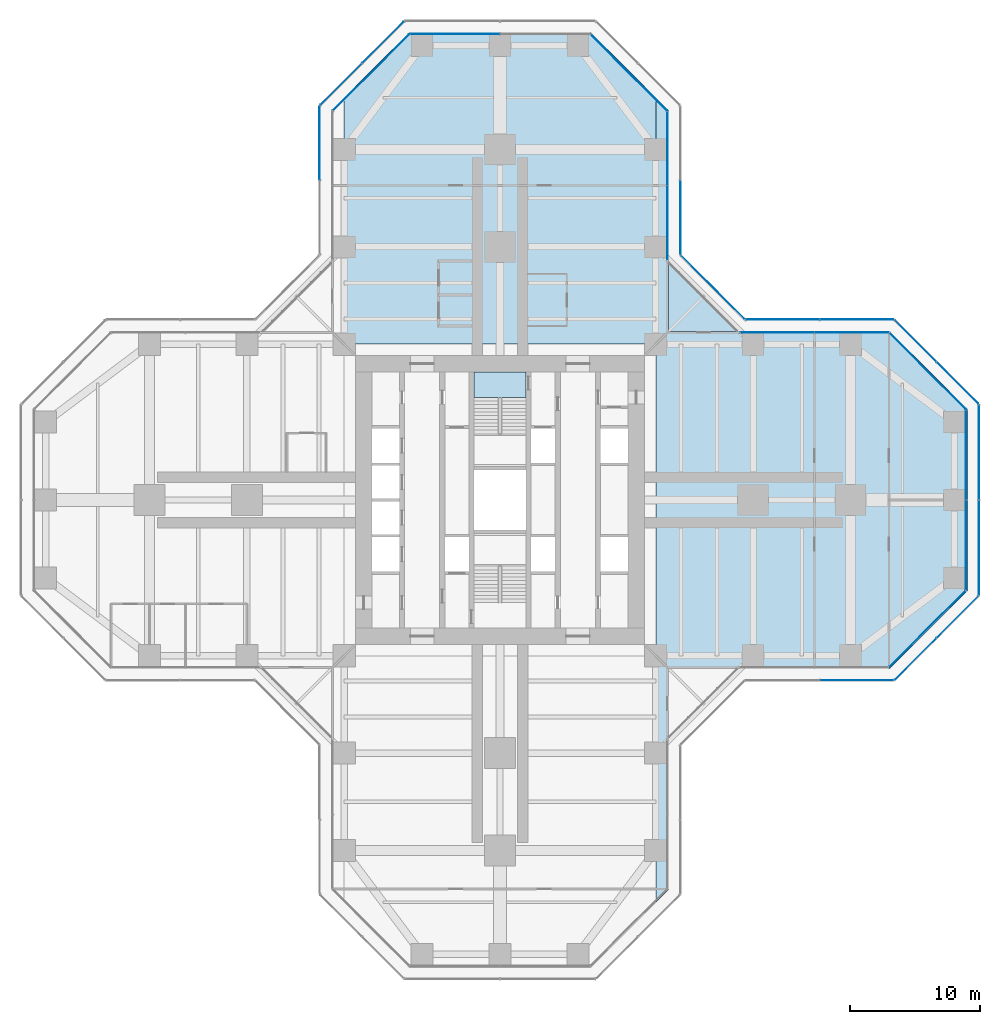
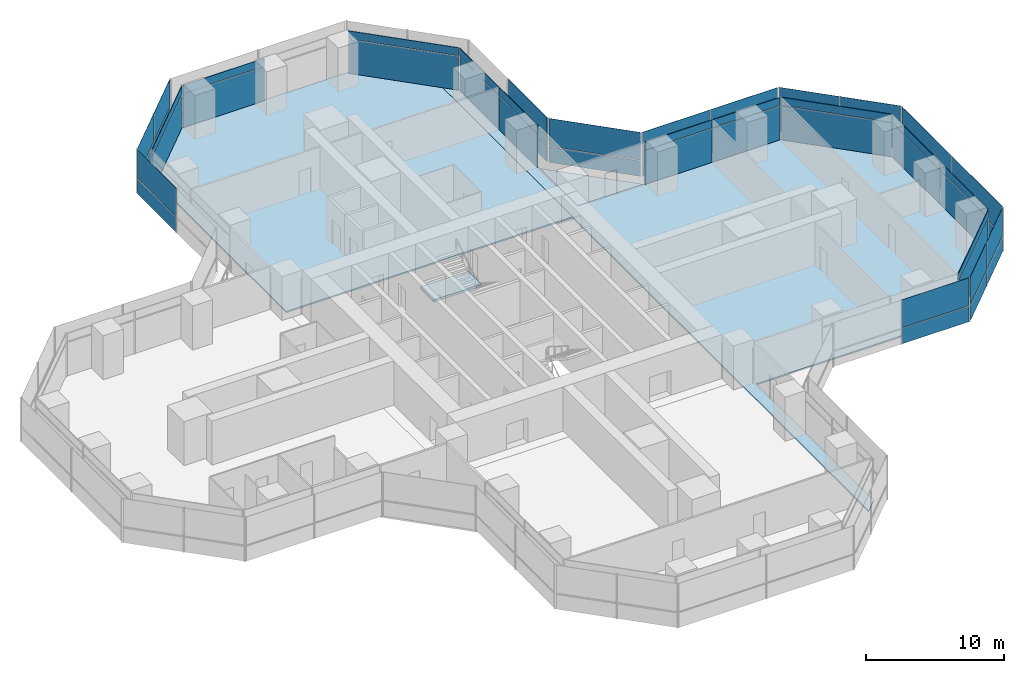
# One storey, part 16 of 22: 50 plates, 4 slabs, 18 elements without a shape of their own.
"""IFC4 building model written with IfcOpenShell, lengths in metres."""

from ifc_helpers import new_model, si_unit, direction, frame, origin, origin_2d, place, context, subcontext, project, spatial, polyline, rectangle, outline, extrude, material, layer, layer_set, type_object, element, aggregate, save


model = new_model("IFC4")

# Units and contexts
model_context = context("Model", 3, precision=1e-05, world=origin(), true_north=direction((0.0, 1.0)))
body_context = subcontext(model_context, "Body", "Model", "MODEL_VIEW")
ifc_project = project(units=[si_unit("LENGTHUNIT", "METRE"), si_unit("AREAUNIT", "SQUARE_METRE"), si_unit("VOLUMEUNIT", "CUBIC_METRE"), si_unit("PLANEANGLEUNIT", "RADIAN"), si_unit("MASSUNIT", "GRAM", prefix="KILO")], contexts=[model_context])

# Site, building, storey
site_placement = place(None, origin())
site = spatial("IfcSite", under=ifc_project, at=site_placement, CompositionType="ELEMENT")
building_placement = place(site_placement, origin())
building = spatial("IfcBuilding", under=site, at=building_placement, Name="Mizan Broadcast Tower", CompositionType="ELEMENT")
storey_placement = place(building_placement, frame((0.0, 0.0, 74.699951171875)))
storey = spatial("IfcBuildingStorey", under=building, at=storey_placement, Name="L15", CompositionType="ELEMENT", Elevation=74.699951171875)

# Slabs
ifc_material_1 = material(Name="Concrete C32/40", Category="concrete")
ifc_layer_1 = layer(ifc_material_1, 0.1298828125)
ifc_layer_set_1 = layer_set([ifc_layer_1], Name="Concrete C32/40")
slab_type_1 = type_object("IfcSlabType", Name="COMPOSITE DECK SLAB 130", PredefinedType="FLOOR", material=ifc_layer_set_1)
slab_1_placement = place(storey_placement, frame((0.0, 0.0, -0.1298828125)))
element("IfcSlab", 1, at=slab_1_placement, inside=storey, type_object=slab_type_1, Name="Floor slab L15 east arm", PredefinedType="FLOOR", context=body_context, shape_type="SweptSolid", body=[
    extrude(outline(polyline([(12.0, -31.0), (13.0, -30.0), (13.0, -13.0), (30.0, -13.0), (36.0, -7.0), (36.0, 7.0), (30.0, 13.0), (13.0, 13.0), (13.0, 30.0), (12.0, 31.0), (12.0, -31.0)])), origin(), (0.0, 0.0, 1.0), 0.1298828125),
])
slab_2_placement = place(storey_placement, frame((0.0, 0.0, -0.1298828125)))
element("IfcSlab", 2, at=slab_2_placement, inside=storey, type_object=slab_type_1, Name="Floor slab L15 north arm", PredefinedType="FLOOR", context=body_context, shape_type="SweptSolid", body=[
    extrude(outline(polyline([(-7.0, 36.0), (-12.0, 31.0), (-12.0, 12.0), (12.0, 12.0), (12.0, 31.0), (7.0, 36.0), (-7.0, 36.0)])), origin(), (0.0, 0.0, 1.0), 0.1298828125),
])

# Curtain wall, plate
ifc_material_2 = material(Name="Aluminium framed glazing", Category="aluminium")
curtain_wall_type_1 = type_object("IfcCurtainWallType", Name="INNER SKIN LOW ZONE", PredefinedType="USERDEFINED", material=ifc_material_2)
curtain_wall_1_placement = place(storey_placement, origin())
curtain_wall_1 = element("IfcCurtainWall", 3, at=curtain_wall_1_placement, inside=storey, type_object=curtain_wall_type_1, Name="Inner skin low zone L15 E chamfer", ObjectType="INNER SKIN LOW ZONE", PredefinedType="USERDEFINED")
ifc_material_3 = material(Name="Double glazing, clear low-e", Category="glass")
ifc_layer_2 = layer(ifc_material_3, 0.028076171875)
ifc_layer_set_2 = layer_set([ifc_layer_2], Name="Double glazing, clear low-e")
plate_type_1 = type_object("IfcPlateType", Name="INNER SKIN GLAZING UNIT", PredefinedType="CURTAIN_PANEL", material=ifc_layer_set_2)
plate_1_placement = place(storey_placement, frame((32.92919921875, -9.92919921875, 0.0), z_axis=(0.0, 0.0, 1.0), x_axis=(0.707106781187, 0.707106781187, 0.0)))
plate_1 = element("IfcPlate", 4, at=plate_1_placement, type_object=plate_type_1, Name="Inner skin low zone L15 E chamfer panel 1.1", PredefinedType="CURTAIN_PANEL", context=body_context, shape_type="SweptSolid", body=[
    extrude(rectangle(XDim=8.282470703125, YDim=0.028076171875, at=origin_2d()), origin(), (0.0, 0.0, 1.0), 3.0),
])

# Curtain wall, plates
curtain_wall_2_placement = place(storey_placement, origin())
curtain_wall_2 = element("IfcCurtainWall", 5, at=curtain_wall_2_placement, inside=storey, type_object=curtain_wall_type_1, Name="Inner skin low zone L15 E end", ObjectType="INNER SKIN LOW ZONE", PredefinedType="USERDEFINED")
plate_2_placement = place(storey_placement, frame((35.89990234375, -3.46435546875, 0.0), z_axis=(0.0, 0.0, 1.0), x_axis=(0.0, 1.0, 0.0)))
plate_2 = element("IfcPlate", 6, at=plate_2_placement, type_object=plate_type_1, Name="Inner skin low zone L15 E end panel 1.1", PredefinedType="CURTAIN_PANEL", context=body_context, shape_type="SweptSolid", body=[
    extrude(rectangle(XDim=6.86865234375, YDim=0.028076171875, at=origin_2d()), origin(), (0.0, 0.0, 1.0), 3.0),
])
plate_3_placement = place(storey_placement, frame((35.89990234375, 3.46435546875, 0.0), z_axis=(0.0, 0.0, 1.0), x_axis=(0.0, 1.0, 0.0)))
plate_3 = element("IfcPlate", 7, at=plate_3_placement, type_object=plate_type_1, Name="Inner skin low zone L15 E end panel 2.1", PredefinedType="CURTAIN_PANEL", context=body_context, shape_type="SweptSolid", body=[
    extrude(rectangle(XDim=6.86865234375, YDim=0.028076171875, at=origin_2d()), origin(), (0.0, 0.0, 1.0), 3.0),
])

# Curtain wall, plate
curtain_wall_3_placement = place(storey_placement, origin())
curtain_wall_3 = element("IfcCurtainWall", 8, at=curtain_wall_3_placement, inside=storey, type_object=curtain_wall_type_1, Name="Inner skin low zone L15 E chamfer", ObjectType="INNER SKIN LOW ZONE", PredefinedType="USERDEFINED")
plate_4_placement = place(storey_placement, frame((32.92919921875, 9.92919921875, 0.0), z_axis=(0.0, 0.0, 1.0), x_axis=(-0.707106781187, 0.707106781187, 0.0)))
plate_4 = element("IfcPlate", 9, at=plate_4_placement, type_object=plate_type_1, Name="Inner skin low zone L15 E chamfer panel 1.1", PredefinedType="CURTAIN_PANEL", context=body_context, shape_type="SweptSolid", body=[
    extrude(rectangle(XDim=8.282470703125, YDim=0.028076171875, at=origin_2d()), origin(), (0.0, 0.0, 1.0), 3.0),
])

# Curtain wall, plates
curtain_wall_4_placement = place(storey_placement, origin())
curtain_wall_4 = element("IfcCurtainWall", 10, at=curtain_wall_4_placement, inside=storey, type_object=curtain_wall_type_1, Name="Inner skin low zone L15 E side", ObjectType="INNER SKIN LOW ZONE", PredefinedType="USERDEFINED")
plate_5_placement = place(storey_placement, frame((27.078857421875, 12.89990234375, 0.0), z_axis=(0.0, 0.0, 1.0), x_axis=(-1.0, 0.0, 0.0)))
plate_5 = element("IfcPlate", 11, at=plate_5_placement, type_object=plate_type_1, Name="Inner skin low zone L15 E side panel 1.1", PredefinedType="CURTAIN_PANEL", context=body_context, shape_type="SweptSolid", body=[
    extrude(rectangle(XDim=5.639404296875, YDim=0.028076171875, at=origin_2d()), origin(), (0.0, 0.0, 1.0), 3.0),
])
plate_6_placement = place(storey_placement, frame((21.379638671875, 12.89990234375, 0.0), z_axis=(0.0, 0.0, 1.0), x_axis=(-1.0, 0.0, 0.0)))
plate_6 = element("IfcPlate", 12, at=plate_6_placement, type_object=plate_type_1, Name="Inner skin low zone L15 E side panel 2.1", PredefinedType="CURTAIN_PANEL", context=body_context, shape_type="SweptSolid", body=[
    extrude(rectangle(XDim=5.639404296875, YDim=0.028076171875, at=origin_2d()), origin(), (0.0, 0.0, 1.0), 3.0),
])

curtain_wall_5_placement = place(storey_placement, origin())
curtain_wall_5 = element("IfcCurtainWall", 13, at=curtain_wall_5_placement, inside=storey, type_object=curtain_wall_type_1, Name="Inner skin low zone L15 N side", ObjectType="INNER SKIN LOW ZONE", PredefinedType="USERDEFINED")
plate_7_placement = place(storey_placement, frame((12.89990234375, 21.379638671875, 0.0), z_axis=(0.0, 0.0, 1.0), x_axis=(0.0, 1.0, 0.0)))
plate_7 = element("IfcPlate", 14, at=plate_7_placement, type_object=plate_type_1, Name="Inner skin low zone L15 N side panel 1.1", PredefinedType="CURTAIN_PANEL", context=body_context, shape_type="SweptSolid", body=[
    extrude(rectangle(XDim=5.639404296875, YDim=0.028076171875, at=origin_2d()), origin(), (0.0, 0.0, 1.0), 3.0),
])
plate_8_placement = place(storey_placement, frame((12.89990234375, 27.078857421875, 0.0), z_axis=(0.0, 0.0, 1.0), x_axis=(0.0, 1.0, 0.0)))
plate_8 = element("IfcPlate", 15, at=plate_8_placement, type_object=plate_type_1, Name="Inner skin low zone L15 N side panel 2.1", PredefinedType="CURTAIN_PANEL", context=body_context, shape_type="SweptSolid", body=[
    extrude(rectangle(XDim=5.639404296875, YDim=0.028076171875, at=origin_2d()), origin(), (0.0, 0.0, 1.0), 3.0),
])

# Curtain wall, plate
curtain_wall_6_placement = place(storey_placement, origin())
curtain_wall_6 = element("IfcCurtainWall", 16, at=curtain_wall_6_placement, inside=storey, type_object=curtain_wall_type_1, Name="Inner skin low zone L15 N chamfer", ObjectType="INNER SKIN LOW ZONE", PredefinedType="USERDEFINED")
plate_9_placement = place(storey_placement, frame((9.92919921875, 32.92919921875, 0.0), z_axis=(0.0, 0.0, 1.0), x_axis=(-0.707106781187, 0.707106781187, 0.0)))
plate_9 = element("IfcPlate", 17, at=plate_9_placement, type_object=plate_type_1, Name="Inner skin low zone L15 N chamfer panel 1.1", PredefinedType="CURTAIN_PANEL", context=body_context, shape_type="SweptSolid", body=[
    extrude(rectangle(XDim=8.282470703125, YDim=0.028076171875, at=origin_2d()), origin(), (0.0, 0.0, 1.0), 3.0),
])

curtain_wall_7_placement = place(storey_placement, origin())
curtain_wall_7 = element("IfcCurtainWall", 18, at=curtain_wall_7_placement, inside=storey, type_object=curtain_wall_type_1, Name="Inner skin low zone L15 N end", ObjectType="INNER SKIN LOW ZONE", PredefinedType="USERDEFINED")
plate_10_placement = place(storey_placement, frame((-3.46435546875, 35.89990234375, 0.0), z_axis=(0.0, 0.0, 1.0), x_axis=(-1.0, 0.0, 0.0)))
plate_10 = element("IfcPlate", 19, at=plate_10_placement, type_object=plate_type_1, Name="Inner skin low zone L15 N end panel 2.1", PredefinedType="CURTAIN_PANEL", context=body_context, shape_type="SweptSolid", body=[
    extrude(rectangle(XDim=6.86865234375, YDim=0.028076171875, at=origin_2d()), origin(), (0.0, 0.0, 1.0), 3.0),
])

curtain_wall_8_placement = place(storey_placement, origin())
curtain_wall_8 = element("IfcCurtainWall", 20, at=curtain_wall_8_placement, inside=storey, type_object=curtain_wall_type_1, Name="Inner skin low zone L15 N chamfer", ObjectType="INNER SKIN LOW ZONE", PredefinedType="USERDEFINED")
plate_11_placement = place(storey_placement, frame((-9.92919921875, 32.92919921875, 0.0), z_axis=(0.0, 0.0, 1.0), x_axis=(-0.707106781187, -0.707106781187, 0.0)))
plate_11 = element("IfcPlate", 21, at=plate_11_placement, type_object=plate_type_1, Name="Inner skin low zone L15 N chamfer panel 1.1", PredefinedType="CURTAIN_PANEL", context=body_context, shape_type="SweptSolid", body=[
    extrude(rectangle(XDim=8.282470703125, YDim=0.028076171875, at=origin_2d()), origin(), (0.0, 0.0, 1.0), 3.0),
])

# Plate
ifc_material_4 = material(Name="Insulated aluminium spandrel panel, pale anodised", Category="aluminium")
ifc_layer_3 = layer(ifc_material_4, 0.050048828125)
ifc_layer_set_3 = layer_set([ifc_layer_3], Name="Insulated aluminium spandrel panel, pale anodised")
plate_type_2 = type_object("IfcPlateType", Name="INNER SKIN SPANDREL PANEL", PredefinedType="CURTAIN_PANEL", material=ifc_layer_set_3)
plate_12_placement = place(storey_placement, frame((32.92919921875, -9.92919921875, 3.06005859375), z_axis=(0.0, 0.0, 1.0), x_axis=(0.707106781187, 0.707106781187, 0.0)))
plate_12 = element("IfcPlate", 22, at=plate_12_placement, type_object=plate_type_2, Name="Inner skin low zone L15 E chamfer panel 1.2", PredefinedType="CURTAIN_PANEL", context=body_context, shape_type="SweptSolid", body=[
    extrude(rectangle(XDim=8.282470703125, YDim=0.050048828125, at=origin_2d()), origin(), (0.0, 0.0, 1.0), 0.7099609375),
])

aggregate(curtain_wall_1, [plate_1, plate_12])

plate_13_placement = place(storey_placement, frame((35.89990234375, -3.46435546875, 3.06005859375), z_axis=(0.0, 0.0, 1.0), x_axis=(0.0, 1.0, 0.0)))
plate_13 = element("IfcPlate", 23, at=plate_13_placement, type_object=plate_type_2, Name="Inner skin low zone L15 E end panel 1.2", PredefinedType="CURTAIN_PANEL", context=body_context, shape_type="SweptSolid", body=[
    extrude(rectangle(XDim=6.86865234375, YDim=0.050048828125, at=origin_2d()), origin(), (0.0, 0.0, 1.0), 0.7099609375),
])

plate_14_placement = place(storey_placement, frame((35.89990234375, 3.46435546875, 3.06005859375), z_axis=(0.0, 0.0, 1.0), x_axis=(0.0, 1.0, 0.0)))
plate_14 = element("IfcPlate", 24, at=plate_14_placement, type_object=plate_type_2, Name="Inner skin low zone L15 E end panel 2.2", PredefinedType="CURTAIN_PANEL", context=body_context, shape_type="SweptSolid", body=[
    extrude(rectangle(XDim=6.86865234375, YDim=0.050048828125, at=origin_2d()), origin(), (0.0, 0.0, 1.0), 0.7099609375),
])

aggregate(curtain_wall_2, [plate_2, plate_13, plate_3, plate_14])

plate_15_placement = place(storey_placement, frame((32.92919921875, 9.92919921875, 3.06005859375), z_axis=(0.0, 0.0, 1.0), x_axis=(-0.707106781187, 0.707106781187, 0.0)))
plate_15 = element("IfcPlate", 25, at=plate_15_placement, type_object=plate_type_2, Name="Inner skin low zone L15 E chamfer panel 1.2", PredefinedType="CURTAIN_PANEL", context=body_context, shape_type="SweptSolid", body=[
    extrude(rectangle(XDim=8.282470703125, YDim=0.050048828125, at=origin_2d()), origin(), (0.0, 0.0, 1.0), 0.7099609375),
])

aggregate(curtain_wall_3, [plate_4, plate_15])

plate_16_placement = place(storey_placement, frame((27.078857421875, 12.89990234375, 3.06005859375), z_axis=(0.0, 0.0, 1.0), x_axis=(-1.0, 0.0, 0.0)))
plate_16 = element("IfcPlate", 26, at=plate_16_placement, type_object=plate_type_2, Name="Inner skin low zone L15 E side panel 1.2", PredefinedType="CURTAIN_PANEL", context=body_context, shape_type="SweptSolid", body=[
    extrude(rectangle(XDim=5.639404296875, YDim=0.050048828125, at=origin_2d()), origin(), (0.0, 0.0, 1.0), 0.7099609375),
])

plate_17_placement = place(storey_placement, frame((21.379638671875, 12.89990234375, 3.06005859375), z_axis=(0.0, 0.0, 1.0), x_axis=(-1.0, 0.0, 0.0)))
plate_17 = element("IfcPlate", 27, at=plate_17_placement, type_object=plate_type_2, Name="Inner skin low zone L15 E side panel 2.2", PredefinedType="CURTAIN_PANEL", context=body_context, shape_type="SweptSolid", body=[
    extrude(rectangle(XDim=5.639404296875, YDim=0.050048828125, at=origin_2d()), origin(), (0.0, 0.0, 1.0), 0.7099609375),
])

aggregate(curtain_wall_4, [plate_5, plate_16, plate_6, plate_17])

plate_18_placement = place(storey_placement, frame((12.89990234375, 21.379638671875, 3.06005859375), z_axis=(0.0, 0.0, 1.0), x_axis=(0.0, 1.0, 0.0)))
plate_18 = element("IfcPlate", 28, at=plate_18_placement, type_object=plate_type_2, Name="Inner skin low zone L15 N side panel 1.2", PredefinedType="CURTAIN_PANEL", context=body_context, shape_type="SweptSolid", body=[
    extrude(rectangle(XDim=5.639404296875, YDim=0.050048828125, at=origin_2d()), origin(), (0.0, 0.0, 1.0), 0.7099609375),
])

plate_19_placement = place(storey_placement, frame((12.89990234375, 27.078857421875, 3.06005859375), z_axis=(0.0, 0.0, 1.0), x_axis=(0.0, 1.0, 0.0)))
plate_19 = element("IfcPlate", 29, at=plate_19_placement, type_object=plate_type_2, Name="Inner skin low zone L15 N side panel 2.2", PredefinedType="CURTAIN_PANEL", context=body_context, shape_type="SweptSolid", body=[
    extrude(rectangle(XDim=5.639404296875, YDim=0.050048828125, at=origin_2d()), origin(), (0.0, 0.0, 1.0), 0.7099609375),
])

aggregate(curtain_wall_5, [plate_7, plate_18, plate_8, plate_19])

plate_20_placement = place(storey_placement, frame((9.92919921875, 32.92919921875, 3.06005859375), z_axis=(0.0, 0.0, 1.0), x_axis=(-0.707106781187, 0.707106781187, 0.0)))
plate_20 = element("IfcPlate", 30, at=plate_20_placement, type_object=plate_type_2, Name="Inner skin low zone L15 N chamfer panel 1.2", PredefinedType="CURTAIN_PANEL", context=body_context, shape_type="SweptSolid", body=[
    extrude(rectangle(XDim=8.282470703125, YDim=0.050048828125, at=origin_2d()), origin(), (0.0, 0.0, 1.0), 0.7099609375),
])

aggregate(curtain_wall_6, [plate_9, plate_20])

plate_21_placement = place(storey_placement, frame((-3.46435546875, 35.89990234375, 3.06005859375), z_axis=(0.0, 0.0, 1.0), x_axis=(-1.0, 0.0, 0.0)))
plate_21 = element("IfcPlate", 31, at=plate_21_placement, type_object=plate_type_2, Name="Inner skin low zone L15 N end panel 2.2", PredefinedType="CURTAIN_PANEL", context=body_context, shape_type="SweptSolid", body=[
    extrude(rectangle(XDim=6.86865234375, YDim=0.050048828125, at=origin_2d()), origin(), (0.0, 0.0, 1.0), 0.7099609375),
])

aggregate(curtain_wall_7, [plate_10, plate_21])

plate_22_placement = place(storey_placement, frame((-9.92919921875, 32.92919921875, 3.06005859375), z_axis=(0.0, 0.0, 1.0), x_axis=(-0.707106781187, -0.707106781187, 0.0)))
plate_22 = element("IfcPlate", 32, at=plate_22_placement, type_object=plate_type_2, Name="Inner skin low zone L15 N chamfer panel 1.2", PredefinedType="CURTAIN_PANEL", context=body_context, shape_type="SweptSolid", body=[
    extrude(rectangle(XDim=8.282470703125, YDim=0.050048828125, at=origin_2d()), origin(), (0.0, 0.0, 1.0), 0.7099609375),
])

aggregate(curtain_wall_8, [plate_11, plate_22])

# Curtain wall, plates
ifc_material_5 = material(Name="Aluminium framed glazing", Category="aluminium")
curtain_wall_type_2 = type_object("IfcCurtainWallType", Name="OUTER SKIN", PredefinedType="USERDEFINED", material=ifc_material_5)
curtain_wall_9_placement = place(storey_placement, origin())
curtain_wall_9 = element("IfcCurtainWall", 33, at=curtain_wall_9_placement, inside=storey, type_object=curtain_wall_type_2, Name="Outer skin L15 E chamfer", ObjectType="OUTER SKIN", PredefinedType="USERDEFINED")
ifc_material_6 = material(Name="Laminated clear glass", Category="glass")
ifc_layer_4 = layer(ifc_material_6, 0.02001953125)
ifc_layer_set_4 = layer_set([ifc_layer_4], Name="Laminated clear glass")
plate_type_3 = type_object("IfcPlateType", Name="OUTER SKIN CLEAR GLASS", PredefinedType="CURTAIN_PANEL", material=ifc_layer_set_4)
plate_23_placement = place(storey_placement, frame((32.018798828125, -12.254150390625, 0.0), z_axis=(0.0, 0.0, 1.0), x_axis=(0.707106781187, 0.707106781187, 0.0)))
plate_23 = element("IfcPlate", 34, at=plate_23_placement, type_object=plate_type_3, Name="Outer skin L15 E chamfer panel 1.1", PredefinedType="CURTAIN_PANEL", context=body_context, shape_type="SweptSolid", body=[
    extrude(rectangle(XDim=4.495361328125, YDim=0.02001953125, at=origin_2d()), origin(), (0.0, 0.0, 1.0), 1.3701171875),
])
plate_24_placement = place(storey_placement, frame((32.018798828125, -12.254150390625, 1.43017578125), z_axis=(0.0, 0.0, 1.0), x_axis=(0.707106781187, 0.707106781187, 0.0)))
plate_24 = element("IfcPlate", 35, at=plate_24_placement, type_object=plate_type_3, Name="Outer skin L15 E chamfer panel 1.2", PredefinedType="CURTAIN_PANEL", context=body_context, shape_type="SweptSolid", body=[
    extrude(rectangle(XDim=4.495361328125, YDim=0.02001953125, at=origin_2d()), origin(), (0.0, 0.0, 1.0), 2.469970703125),
])

curtain_wall_10_placement = place(storey_placement, origin())
curtain_wall_10 = element("IfcCurtainWall", 36, at=curtain_wall_10_placement, inside=storey, type_object=curtain_wall_type_2, Name="Outer skin L15 E end", ObjectType="OUTER SKIN", PredefinedType="USERDEFINED")
plate_25_placement = place(storey_placement, frame((36.89990234375, -3.66650390625, 0.0), z_axis=(0.0, 0.0, 1.0), x_axis=(0.0, 1.0, 0.0)))
plate_25 = element("IfcPlate", 37, at=plate_25_placement, type_object=plate_type_3, Name="Outer skin L15 E end panel 1.1", PredefinedType="CURTAIN_PANEL", context=body_context, shape_type="SweptSolid", body=[
    extrude(rectangle(XDim=7.252685546875, YDim=0.02001953125, at=origin_2d()), origin(), (0.0, 0.0, 1.0), 1.3701171875),
])
plate_26_placement = place(storey_placement, frame((36.89990234375, -3.66650390625, 1.43017578125), z_axis=(0.0, 0.0, 1.0), x_axis=(0.0, 1.0, 0.0)))
plate_26 = element("IfcPlate", 38, at=plate_26_placement, type_object=plate_type_3, Name="Outer skin L15 E end panel 1.2", PredefinedType="CURTAIN_PANEL", context=body_context, shape_type="SweptSolid", body=[
    extrude(rectangle(XDim=7.252685546875, YDim=0.02001953125, at=origin_2d()), origin(), (0.0, 0.0, 1.0), 2.469970703125),
])

curtain_wall_11_placement = place(storey_placement, origin())
curtain_wall_11 = element("IfcCurtainWall", 39, at=curtain_wall_11_placement, inside=storey, type_object=curtain_wall_type_2, Name="Outer skin L15 E chamfer", ObjectType="OUTER SKIN", PredefinedType="USERDEFINED")
plate_27_placement = place(storey_placement, frame((35.254150390625, 9.018798828125, 0.0), z_axis=(0.0, 0.0, 1.0), x_axis=(-0.707106781187, 0.707106781187, 0.0)))
plate_27 = element("IfcPlate", 40, at=plate_27_placement, type_object=plate_type_3, Name="Outer skin L15 E chamfer panel 1.1", PredefinedType="CURTAIN_PANEL", context=body_context, shape_type="SweptSolid", body=[
    extrude(rectangle(XDim=4.495361328125, YDim=0.02001953125, at=origin_2d()), origin(), (0.0, 0.0, 1.0), 1.3701171875),
])
plate_28_placement = place(storey_placement, frame((35.254150390625, 9.018798828125, 1.43017578125), z_axis=(0.0, 0.0, 1.0), x_axis=(-0.707106781187, 0.707106781187, 0.0)))
plate_28 = element("IfcPlate", 41, at=plate_28_placement, type_object=plate_type_3, Name="Outer skin L15 E chamfer panel 1.2", PredefinedType="CURTAIN_PANEL", context=body_context, shape_type="SweptSolid", body=[
    extrude(rectangle(XDim=4.495361328125, YDim=0.02001953125, at=origin_2d()), origin(), (0.0, 0.0, 1.0), 2.469970703125),
])

curtain_wall_12_placement = place(storey_placement, origin())
curtain_wall_12 = element("IfcCurtainWall", 42, at=curtain_wall_12_placement, inside=storey, type_object=curtain_wall_type_2, Name="Outer skin L15 E side", ObjectType="OUTER SKIN", PredefinedType="USERDEFINED")
plate_29_placement = place(storey_placement, frame((27.477783203125, 13.89990234375, 0.0), z_axis=(0.0, 0.0, 1.0), x_axis=(-1.0, 0.0, 0.0)))
plate_29 = element("IfcPlate", 43, at=plate_29_placement, type_object=plate_type_3, Name="Outer skin L15 E side panel 1.1", PredefinedType="CURTAIN_PANEL", context=body_context, shape_type="SweptSolid", body=[
    extrude(rectangle(XDim=5.6298828125, YDim=0.02001953125, at=origin_2d()), origin(), (0.0, 0.0, 1.0), 1.3701171875),
])
plate_30_placement = place(storey_placement, frame((27.477783203125, 13.89990234375, 1.43017578125), z_axis=(0.0, 0.0, 1.0), x_axis=(-1.0, 0.0, 0.0)))
plate_30 = element("IfcPlate", 44, at=plate_30_placement, type_object=plate_type_3, Name="Outer skin L15 E side panel 1.2", PredefinedType="CURTAIN_PANEL", context=body_context, shape_type="SweptSolid", body=[
    extrude(rectangle(XDim=5.6298828125, YDim=0.02001953125, at=origin_2d()), origin(), (0.0, 0.0, 1.0), 2.469970703125),
])
plate_31_placement = place(storey_placement, frame((21.767822265625, 13.89990234375, 0.0), z_axis=(0.0, 0.0, 1.0), x_axis=(-1.0, 0.0, 0.0)))
plate_31 = element("IfcPlate", 45, at=plate_31_placement, type_object=plate_type_3, Name="Outer skin L15 E side panel 2.1", PredefinedType="CURTAIN_PANEL", context=body_context, shape_type="SweptSolid", body=[
    extrude(rectangle(XDim=5.6298828125, YDim=0.02001953125, at=origin_2d()), origin(), (0.0, 0.0, 1.0), 1.3701171875),
])
plate_32_placement = place(storey_placement, frame((21.767822265625, 13.89990234375, 1.43017578125), z_axis=(0.0, 0.0, 1.0), x_axis=(-1.0, 0.0, 0.0)))
plate_32 = element("IfcPlate", 46, at=plate_32_placement, type_object=plate_type_3, Name="Outer skin L15 E side panel 2.2", PredefinedType="CURTAIN_PANEL", context=body_context, shape_type="SweptSolid", body=[
    extrude(rectangle(XDim=5.6298828125, YDim=0.02001953125, at=origin_2d()), origin(), (0.0, 0.0, 1.0), 2.469970703125),
])
aggregate(curtain_wall_12, [plate_29, plate_30, plate_31, plate_32])

curtain_wall_13_placement = place(storey_placement, origin())
curtain_wall_13 = element("IfcCurtainWall", 47, at=curtain_wall_13_placement, inside=storey, type_object=curtain_wall_type_2, Name="Outer skin L15 E chamfer", ObjectType="OUTER SKIN", PredefinedType="USERDEFINED")
plate_33_placement = place(storey_placement, frame((16.386474609375, 16.386474609375, 0.0), z_axis=(0.0, 0.0, 1.0), x_axis=(-0.707106781187, 0.707106781187, 0.0)))
plate_33 = element("IfcPlate", 48, at=plate_33_placement, type_object=plate_type_3, Name="Outer skin L15 E chamfer panel 1.1", PredefinedType="CURTAIN_PANEL", context=body_context, shape_type="SweptSolid", body=[
    extrude(rectangle(XDim=6.87255859375, YDim=0.02001953125, at=origin_2d()), origin(), (0.0, 0.0, 1.0), 1.3701171875),
])
plate_34_placement = place(storey_placement, frame((16.386474609375, 16.386474609375, 1.43017578125), z_axis=(0.0, 0.0, 1.0), x_axis=(-0.707106781187, 0.707106781187, 0.0)))
plate_34 = element("IfcPlate", 49, at=plate_34_placement, type_object=plate_type_3, Name="Outer skin L15 E chamfer panel 1.2", PredefinedType="CURTAIN_PANEL", context=body_context, shape_type="SweptSolid", body=[
    extrude(rectangle(XDim=6.87255859375, YDim=0.02001953125, at=origin_2d()), origin(), (0.0, 0.0, 1.0), 2.469970703125),
])
aggregate(curtain_wall_13, [plate_33, plate_34])

curtain_wall_14_placement = place(storey_placement, origin())
curtain_wall_14 = element("IfcCurtainWall", 50, at=curtain_wall_14_placement, inside=storey, type_object=curtain_wall_type_2, Name="Outer skin L15 N side", ObjectType="OUTER SKIN", PredefinedType="USERDEFINED")
plate_35_placement = place(storey_placement, frame((13.89990234375, 21.767822265625, 0.0), z_axis=(0.0, 0.0, 1.0), x_axis=(0.0, 1.0, 0.0)))
plate_35 = element("IfcPlate", 51, at=plate_35_placement, type_object=plate_type_3, Name="Outer skin L15 N side panel 1.1", PredefinedType="CURTAIN_PANEL", context=body_context, shape_type="SweptSolid", body=[
    extrude(rectangle(XDim=5.6298828125, YDim=0.02001953125, at=origin_2d()), origin(), (0.0, 0.0, 1.0), 1.3701171875),
])
plate_36_placement = place(storey_placement, frame((13.89990234375, 21.767822265625, 1.43017578125), z_axis=(0.0, 0.0, 1.0), x_axis=(0.0, 1.0, 0.0)))
plate_36 = element("IfcPlate", 52, at=plate_36_placement, type_object=plate_type_3, Name="Outer skin L15 N side panel 1.2", PredefinedType="CURTAIN_PANEL", context=body_context, shape_type="SweptSolid", body=[
    extrude(rectangle(XDim=5.6298828125, YDim=0.02001953125, at=origin_2d()), origin(), (0.0, 0.0, 1.0), 2.469970703125),
])
aggregate(curtain_wall_14, [plate_35, plate_36])

curtain_wall_15_placement = place(storey_placement, origin())
curtain_wall_15 = element("IfcCurtainWall", 53, at=curtain_wall_15_placement, inside=storey, type_object=curtain_wall_type_2, Name="Outer skin L15 N chamfer", ObjectType="OUTER SKIN", PredefinedType="USERDEFINED")
plate_37_placement = place(storey_placement, frame((-9.018798828125, 35.254150390625, 0.0), z_axis=(0.0, 0.0, 1.0), x_axis=(-0.707106781187, -0.707106781187, 0.0)))
plate_37 = element("IfcPlate", 54, at=plate_37_placement, type_object=plate_type_3, Name="Outer skin L15 N chamfer panel 1.1", PredefinedType="CURTAIN_PANEL", context=body_context, shape_type="SweptSolid", body=[
    extrude(rectangle(XDim=4.495361328125, YDim=0.02001953125, at=origin_2d()), origin(), (0.0, 0.0, 1.0), 1.3701171875),
])
plate_38_placement = place(storey_placement, frame((-9.018798828125, 35.254150390625, 1.43017578125), z_axis=(0.0, 0.0, 1.0), x_axis=(-0.707106781187, -0.707106781187, 0.0)))
plate_38 = element("IfcPlate", 55, at=plate_38_placement, type_object=plate_type_3, Name="Outer skin L15 N chamfer panel 1.2", PredefinedType="CURTAIN_PANEL", context=body_context, shape_type="SweptSolid", body=[
    extrude(rectangle(XDim=4.495361328125, YDim=0.02001953125, at=origin_2d()), origin(), (0.0, 0.0, 1.0), 2.469970703125),
])

curtain_wall_16_placement = place(storey_placement, origin())
curtain_wall_16 = element("IfcCurtainWall", 56, at=curtain_wall_16_placement, inside=storey, type_object=curtain_wall_type_2, Name="Outer skin L15 N side", ObjectType="OUTER SKIN", PredefinedType="USERDEFINED")
plate_39_placement = place(storey_placement, frame((-13.89990234375, 27.477783203125, 0.0), z_axis=(0.0, 0.0, 1.0), x_axis=(0.0, -1.0, 0.0)))
plate_39 = element("IfcPlate", 57, at=plate_39_placement, type_object=plate_type_3, Name="Outer skin L15 N side panel 1.1", PredefinedType="CURTAIN_PANEL", context=body_context, shape_type="SweptSolid", body=[
    extrude(rectangle(XDim=5.6298828125, YDim=0.02001953125, at=origin_2d()), origin(), (0.0, 0.0, 1.0), 1.3701171875),
])
plate_40_placement = place(storey_placement, frame((-13.89990234375, 27.477783203125, 1.43017578125), z_axis=(0.0, 0.0, 1.0), x_axis=(0.0, -1.0, 0.0)))
plate_40 = element("IfcPlate", 58, at=plate_40_placement, type_object=plate_type_3, Name="Outer skin L15 N side panel 1.2", PredefinedType="CURTAIN_PANEL", context=body_context, shape_type="SweptSolid", body=[
    extrude(rectangle(XDim=5.6298828125, YDim=0.02001953125, at=origin_2d()), origin(), (0.0, 0.0, 1.0), 2.469970703125),
])
aggregate(curtain_wall_16, [plate_39, plate_40])

# Plate
ifc_material_7 = material(Name="Perforated aluminium, pale anodised", Category="aluminium")
ifc_layer_5 = layer(ifc_material_7, 0.011962890625)
ifc_layer_set_5 = layer_set([ifc_layer_5], Name="Perforated aluminium, pale anodised")
plate_type_4 = type_object("IfcPlateType", Name="OUTER SKIN PERFORATED SCREEN", PredefinedType="USERDEFINED", material=ifc_layer_set_5)
plate_41_placement = place(storey_placement, frame((35.254150390625, -9.018798828125, 0.0), z_axis=(0.0, 0.0, 1.0), x_axis=(0.707106781187, 0.707106781187, 0.0)))
plate_41 = element("IfcPlate", 59, at=plate_41_placement, type_object=plate_type_4, Name="Outer skin L15 E chamfer panel 2.1", ObjectType="SCREEN", PredefinedType="USERDEFINED", context=body_context, shape_type="SweptSolid", body=[
    extrude(rectangle(XDim=4.495361328125, YDim=0.011962890625, at=origin_2d()), origin(), (0.0, 0.0, 1.0), 1.3701171875),
])

plate_42_placement = place(storey_placement, frame((35.254150390625, -9.018798828125, 1.43017578125), z_axis=(0.0, 0.0, 1.0), x_axis=(0.707106781187, 0.707106781187, 0.0)))
plate_42 = element("IfcPlate", 60, at=plate_42_placement, type_object=plate_type_4, Name="Outer skin L15 E chamfer panel 2.2", ObjectType="SCREEN", PredefinedType="USERDEFINED", context=body_context, shape_type="SweptSolid", body=[
    extrude(rectangle(XDim=4.495361328125, YDim=0.011962890625, at=origin_2d()), origin(), (0.0, 0.0, 1.0), 2.469970703125),
])

aggregate(curtain_wall_9, [plate_23, plate_24, plate_41, plate_42])

plate_43_placement = place(storey_placement, frame((36.89990234375, 3.66650390625, 0.0), z_axis=(0.0, 0.0, 1.0), x_axis=(0.0, 1.0, 0.0)))
plate_43 = element("IfcPlate", 61, at=plate_43_placement, type_object=plate_type_4, Name="Outer skin L15 E end panel 2.1", ObjectType="SCREEN", PredefinedType="USERDEFINED", context=body_context, shape_type="SweptSolid", body=[
    extrude(rectangle(XDim=7.252685546875, YDim=0.011962890625, at=origin_2d()), origin(), (0.0, 0.0, 1.0), 1.3701171875),
])

plate_44_placement = place(storey_placement, frame((36.89990234375, 3.66650390625, 1.43017578125), z_axis=(0.0, 0.0, 1.0), x_axis=(0.0, 1.0, 0.0)))
plate_44 = element("IfcPlate", 62, at=plate_44_placement, type_object=plate_type_4, Name="Outer skin L15 E end panel 2.2", ObjectType="SCREEN", PredefinedType="USERDEFINED", context=body_context, shape_type="SweptSolid", body=[
    extrude(rectangle(XDim=7.252685546875, YDim=0.011962890625, at=origin_2d()), origin(), (0.0, 0.0, 1.0), 2.469970703125),
])

aggregate(curtain_wall_10, [plate_25, plate_26, plate_43, plate_44])

plate_45_placement = place(storey_placement, frame((32.018798828125, 12.254150390625, 0.0), z_axis=(0.0, 0.0, 1.0), x_axis=(-0.707106781187, 0.707106781187, 0.0)))
plate_45 = element("IfcPlate", 63, at=plate_45_placement, type_object=plate_type_4, Name="Outer skin L15 E chamfer panel 2.1", ObjectType="SCREEN", PredefinedType="USERDEFINED", context=body_context, shape_type="SweptSolid", body=[
    extrude(rectangle(XDim=4.495361328125, YDim=0.011962890625, at=origin_2d()), origin(), (0.0, 0.0, 1.0), 1.3701171875),
])

plate_46_placement = place(storey_placement, frame((32.018798828125, 12.254150390625, 1.43017578125), z_axis=(0.0, 0.0, 1.0), x_axis=(-0.707106781187, 0.707106781187, 0.0)))
plate_46 = element("IfcPlate", 64, at=plate_46_placement, type_object=plate_type_4, Name="Outer skin L15 E chamfer panel 2.2", ObjectType="SCREEN", PredefinedType="USERDEFINED", context=body_context, shape_type="SweptSolid", body=[
    extrude(rectangle(XDim=4.495361328125, YDim=0.011962890625, at=origin_2d()), origin(), (0.0, 0.0, 1.0), 2.469970703125),
])

aggregate(curtain_wall_11, [plate_27, plate_28, plate_45, plate_46])

plate_47_placement = place(storey_placement, frame((-12.254150390625, 32.018798828125, 0.0), z_axis=(0.0, 0.0, 1.0), x_axis=(-0.707106781187, -0.707106781187, 0.0)))
plate_47 = element("IfcPlate", 65, at=plate_47_placement, type_object=plate_type_4, Name="Outer skin L15 N chamfer panel 2.1", ObjectType="SCREEN", PredefinedType="USERDEFINED", context=body_context, shape_type="SweptSolid", body=[
    extrude(rectangle(XDim=4.495361328125, YDim=0.011962890625, at=origin_2d()), origin(), (0.0, 0.0, 1.0), 1.3701171875),
])

plate_48_placement = place(storey_placement, frame((-12.254150390625, 32.018798828125, 1.43017578125), z_axis=(0.0, 0.0, 1.0), x_axis=(-0.707106781187, -0.707106781187, 0.0)))
plate_48 = element("IfcPlate", 66, at=plate_48_placement, type_object=plate_type_4, Name="Outer skin L15 N chamfer panel 2.2", ObjectType="SCREEN", PredefinedType="USERDEFINED", context=body_context, shape_type="SweptSolid", body=[
    extrude(rectangle(XDim=4.495361328125, YDim=0.011962890625, at=origin_2d()), origin(), (0.0, 0.0, 1.0), 2.469970703125),
])

aggregate(curtain_wall_15, [plate_37, plate_38, plate_47, plate_48])

# Curtain wall, plates
curtain_wall_17_placement = place(storey_placement, origin())
curtain_wall_17 = element("IfcCurtainWall", 67, at=curtain_wall_17_placement, inside=storey, type_object=curtain_wall_type_2, Name="Outer skin L15 E side", ObjectType="OUTER SKIN", PredefinedType="USERDEFINED")
plate_49_placement = place(storey_placement, frame((27.477783203125, -13.89990234375, 0.0), z_axis=(0.0, 0.0, 1.0), x_axis=(1.0, 0.0, 0.0)))
plate_49 = element("IfcPlate", 68, at=plate_49_placement, type_object=plate_type_4, Name="Outer skin L15 E side panel 2.1", ObjectType="SCREEN", PredefinedType="USERDEFINED", context=body_context, shape_type="SweptSolid", body=[
    extrude(rectangle(XDim=5.6298828125, YDim=0.011962890625, at=origin_2d()), origin(), (0.0, 0.0, 1.0), 1.3701171875),
])
plate_50_placement = place(storey_placement, frame((27.477783203125, -13.89990234375, 1.43017578125), z_axis=(0.0, 0.0, 1.0), x_axis=(1.0, 0.0, 0.0)))
plate_50 = element("IfcPlate", 69, at=plate_50_placement, type_object=plate_type_4, Name="Outer skin L15 E side panel 2.2", ObjectType="SCREEN", PredefinedType="USERDEFINED", context=body_context, shape_type="SweptSolid", body=[
    extrude(rectangle(XDim=5.6298828125, YDim=0.011962890625, at=origin_2d()), origin(), (0.0, 0.0, 1.0), 2.469970703125),
])
aggregate(curtain_wall_17, [plate_49, plate_50])

# Stair, slab
ifc_material_8 = material(Name="Concrete C40/50", Category="concrete")
stair_type = type_object("IfcStairType", Name="EXIT STAIR", PredefinedType="HALF_TURN_STAIR", material=ifc_material_8)
stair_placement = place(storey_placement, origin())
stair = element("IfcStair", 70, at=stair_placement, inside=storey, type_object=stair_type, Name="Stair B L15", PredefinedType="HALF_TURN_STAIR")
ifc_material_9 = material(Name="Concrete C40/50", Category="concrete")
ifc_layer_6 = layer(ifc_material_9, 0.199951171875)
ifc_layer_set_6 = layer_set([ifc_layer_6], Name="Concrete C40/50")
slab_type_2 = type_object("IfcSlabType", Name="STAIR LANDING 200", PredefinedType="LANDING", material=ifc_layer_set_6)
slab_3_placement = place(storey_placement, frame((0.0, 0.0, -0.199951171875)))
slab_3 = element("IfcSlab", 71, at=slab_3_placement, type_object=slab_type_2, Name="B landing 1", PredefinedType="LANDING", context=body_context, shape_type="SweptSolid", body=[
    extrude(outline(polyline([(2.0, 9.85009765625), (2.0, 7.89990234375), (-2.0, 7.89990234375), (-2.0, 9.85009765625), (2.0, 9.85009765625)])), origin(), (0.0, 0.0, 1.0), 0.199951171875),
])
aggregate(stair, [slab_3])

# Slab
ifc_material_10 = material(Name="Concrete C32/40", Category="concrete")
ifc_layer_7 = layer(ifc_material_10, 0.1298828125)
ifc_layer_set_7 = layer_set([ifc_layer_7], Name="Concrete C32/40")
slab_type_3 = type_object("IfcSlabType", Name="WINTER GARDEN SLAB 130", PredefinedType="FLOOR", material=ifc_layer_set_7)
slab_4_placement = place(storey_placement, frame((0.0, 0.0, -0.1298828125)))
element("IfcSlab", 72, at=slab_4_placement, inside=storey, type_object=slab_type_3, Name="Winter garden slab L15 E", PredefinedType="FLOOR", context=body_context, shape_type="SweptSolid", body=[
    extrude(outline(polyline([(13.0, 13.0), (18.5, 13.0), (13.0, 18.5), (13.0, 13.0)])), origin(), (0.0, 0.0, 1.0), 0.1298828125),
])

save(model, "model.ifc")
